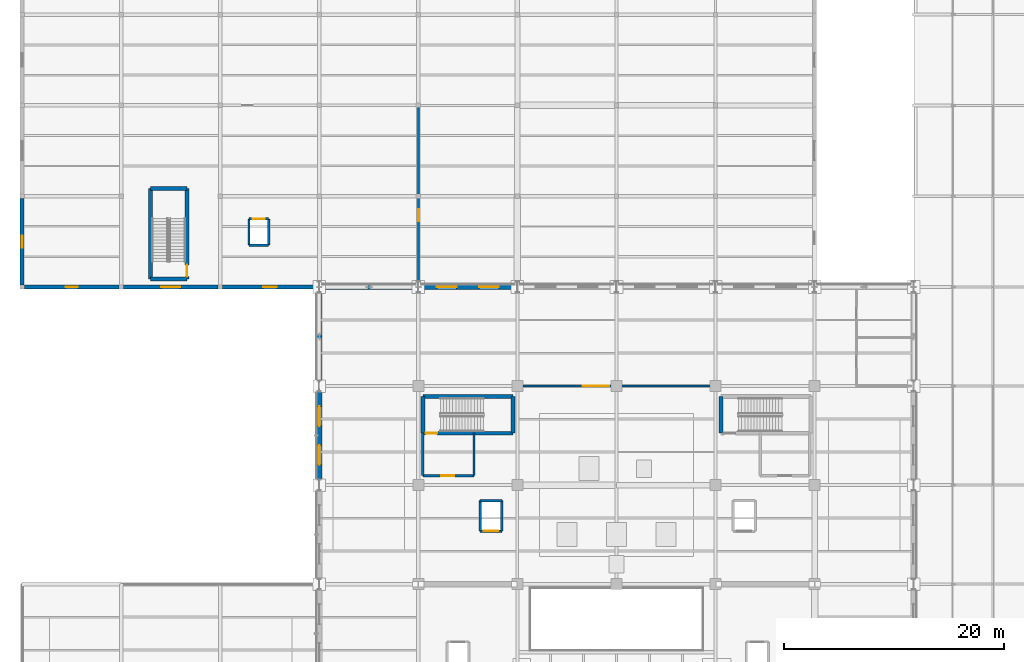
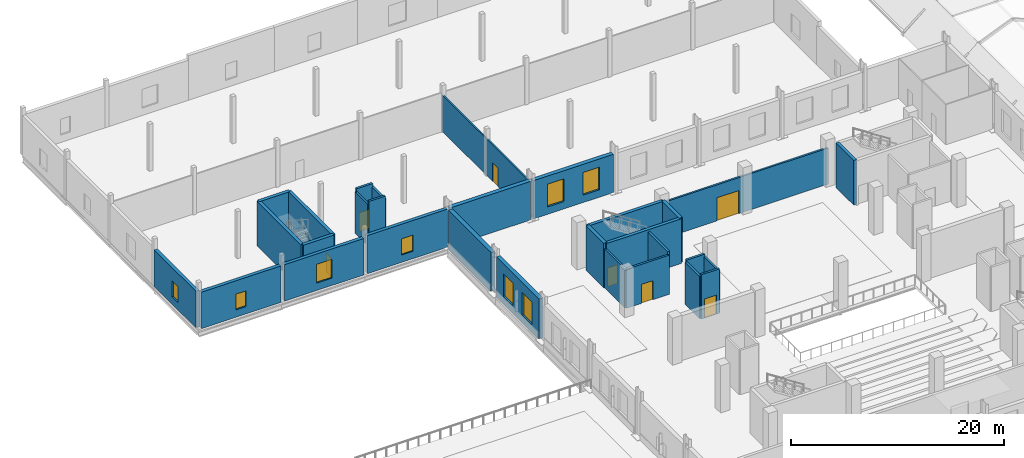
# One storey, part 119 of 141: 30 walls, 8 windows, 7 doors, 15 openings.
"""IFC4 building model written with IfcOpenShell, lengths in metres."""

from ifc_helpers import new_model, si_unit, direction, frame, frame_2d, origin, place, context, subcontext, project, spatial, rectangle, extrude, material, layer, layer_set, type_object, element, fill, save


model = new_model("IFC4")

# Units and contexts
model_context = context("Model", 3, precision=1e-05, world=origin(), true_north=direction((0.0, 1.0)))
body_context = subcontext(model_context, "Body", "Model", "MODEL_VIEW")
ifc_project = project(units=[si_unit("LENGTHUNIT", "METRE"), si_unit("AREAUNIT", "SQUARE_METRE"), si_unit("VOLUMEUNIT", "CUBIC_METRE"), si_unit("PLANEANGLEUNIT", "RADIAN"), si_unit("MASSUNIT", "GRAM", prefix="KILO")], contexts=[model_context])

# Site, building, storey
site_placement = place(None, origin())
site = spatial("IfcSite", under=ifc_project, at=site_placement, CompositionType="ELEMENT")
building_placement = place(site_placement, origin())
building = spatial("IfcBuilding", under=site, at=building_placement, Name="Sundgate Opera House", CompositionType="ELEMENT")
storey_placement = place(building_placement, frame((0.0, 0.0, 11.39990234375)))
storey = spatial("IfcBuildingStorey", under=building, at=storey_placement, Name="L02", CompositionType="ELEMENT", Elevation=11.39990234375)

# Wall, opening, door
ifc_material_1 = material(Name="Concrete C40/50", Category="concrete")
ifc_layer_1 = layer(ifc_material_1, 0.35009765625)
ifc_layer_set_1 = layer_set([ifc_layer_1], Name="Concrete C40/50")
wall_type_1 = type_object("IfcWallType", Name="WL-CORE-350", PredefinedType="SHEAR", material=ifc_layer_set_1)
wall_1_placement = place(storey_placement, frame((36.409912109375, 73.7099609375, 0.0), z_axis=(0.0, 0.0, 1.0), x_axis=(1.0, 0.0, 0.0)))
wall_1 = element("IfcWall", 1, at=wall_1_placement, inside=storey, type_object=wall_type_1, Name="L02 C2 South Shaft Wall", PredefinedType="SHEAR", context=body_context, shape_type="SweptSolid", body=[
    extrude(rectangle(XDim=8.18017578125, YDim=0.35009765625, at=frame_2d((4.090087890625, 0.0))), origin(), (0.0, 0.0, 1.0), 5.1201171875),
])
opening_1_placement = place(wall_1_placement, frame((0.239990234375, 0.0, 0.0)))
opening_1 = element("IfcOpeningElement", 2, at=opening_1_placement, cuts=wall_1, Name="Opening DI01", PredefinedType="OPENING", context=body_context, shape_type="SweptSolid", body=[
    extrude(rectangle(XDim=1.050048828125, YDim=2.179931640625, at=frame_2d((0.52490234375, 1.08984375))), frame((0.0, 0.18505859375, 0.0), z_axis=(0.0, -1.0, 0.0), x_axis=(1.0, 0.0, 0.0)), (0.0, 0.0, 1.0), 0.3701171875),
])
ifc_material_2 = material(Name="Acoustic hardwood timber and steel core", Category="steel")
door_type_1 = type_object("IfcDoorType", Name="DR-STAIR-1050x2180", OperationType="NOTDEFINED", PredefinedType="DOOR", material=ifc_material_2)
door_1_placement = place(opening_1_placement, origin())
door_1 = element("IfcDoor", 3, at=door_1_placement, inside=storey, type_object=door_type_1, Name="L02 C2 Stair Door D0038", OperationType="SINGLE_SWING_RIGHT", OverallHeight=2.179931640625, OverallWidth=1.050048828125, PredefinedType="DOOR", context=body_context, shape_type="SweptSolid", body=[
    extrude(rectangle(XDim=1.050048828125, YDim=2.179931640625, at=frame_2d((0.52490234375, 1.08984375))), frame((0.0, 0.02490234375, 0.0), z_axis=(0.0, -1.0, 0.0), x_axis=(1.0, 0.0, 0.0)), (0.0, 0.0, 1.0), 0.050048828125),
])
fill(opening_1, door_1)

# Walls
wall_2_placement = place(storey_placement, frame((36.409912109375, 77.0400390625, 0.0), z_axis=(0.0, 0.0, 1.0), x_axis=(1.0, 0.0, 0.0)))
element("IfcWall", 4, at=wall_2_placement, inside=storey, type_object=wall_type_1, Name="L02 C2 North Shaft Wall", PredefinedType="SHEAR", context=body_context, shape_type="SweptSolid", body=[
    extrude(rectangle(XDim=8.18017578125, YDim=0.35009765625, at=frame_2d((4.090087890625, 0.0))), origin(), (0.0, 0.0, 1.0), 5.1201171875),
])
for number, where, z_axis, x_axis, name in (
    (5, (36.409912109375, 73.7099609375, 0.0), (0.0, 0.0, 1.0), (0.0, 1.0, 0.0), "L02 C2 West Shaft Wall"),
    (6, (44.590087890625, 73.7099609375, 0.0), (0.0, 0.0, 1.0), (0.0, 1.0, 0.0), "L02 C2 East Shaft Wall"),
    (7, (63.510009765625, 73.7099609375, 0.0), (0.0, 0.0, 1.0), (0.0, 1.0, 0.0), "L02 C4 West Shaft Wall"),
    (8, (11.659912109375, 87.7099609375, 0.0), (0.0, 0.0, 1.0), (1.0, 0.0, 0.0), "L02 C8 South Shaft Wall"),
    (9, (11.659912109375, 95.93994140625, 0.0), (0.0, 0.0, 1.0), (1.0, 0.0, 0.0), "L02 C8 North Shaft Wall"),
):
    element("IfcWall", number, at=place(storey_placement, frame(where, z_axis=z_axis, x_axis=x_axis)), inside=storey, type_object=wall_type_1, Name=name, PredefinedType="SHEAR", context=body_context, shape_type="SweptSolid", body=[
        extrude(rectangle(XDim=3.330078125, YDim=0.35009765625, at=frame_2d((1.6650390625, 0.0))), origin(), (0.0, 0.0, 1.0), 5.1201171875),
    ])
wall_3_placement = place(storey_placement, frame((11.659912109375, 87.7099609375, 0.0), z_axis=(0.0, 0.0, 1.0), x_axis=(0.0, 1.0, 0.0)))
element("IfcWall", 10, at=wall_3_placement, inside=storey, type_object=wall_type_1, Name="L02 C8 West Shaft Wall", PredefinedType="SHEAR", context=body_context, shape_type="SweptSolid", body=[
    extrude(rectangle(XDim=8.22998046875, YDim=0.35009765625, at=frame_2d((4.114990234375, 0.0))), origin(), (0.0, 0.0, 1.0), 5.1201171875),
])

# Wall, opening, door
wall_4_placement = place(storey_placement, frame((14.989990234375, 87.7099609375, 0.0), z_axis=(0.0, 0.0, 1.0), x_axis=(0.0, 1.0, 0.0)))
wall_4 = element("IfcWall", 11, at=wall_4_placement, inside=storey, type_object=wall_type_1, Name="L02 C8 East Shaft Wall", PredefinedType="SHEAR", context=body_context, shape_type="SweptSolid", body=[
    extrude(rectangle(XDim=8.22998046875, YDim=0.35009765625, at=frame_2d((4.114990234375, 0.0))), origin(), (0.0, 0.0, 1.0), 5.1201171875),
])
opening_2_placement = place(wall_4_placement, frame((0.239990234375, 0.0, 0.0)))
opening_2 = element("IfcOpeningElement", 12, at=opening_2_placement, cuts=wall_4, Name="Opening DI01", PredefinedType="OPENING", context=body_context, shape_type="SweptSolid", body=[
    extrude(rectangle(XDim=1.050048828125, YDim=2.179931640625, at=frame_2d((0.52490234375, 1.08984375))), frame((0.0, 0.18505859375, 0.0), z_axis=(0.0, -1.0, 0.0), x_axis=(1.0, 0.0, 0.0)), (0.0, 0.0, 1.0), 0.3701171875),
])
door_2_placement = place(opening_2_placement, origin())
door_2 = element("IfcDoor", 13, at=door_2_placement, inside=storey, type_object=door_type_1, Name="L02 C8 Stair Door D0090", OperationType="SINGLE_SWING_RIGHT", OverallHeight=2.179931640625, OverallWidth=1.050048828125, PredefinedType="DOOR", context=body_context, shape_type="SweptSolid", body=[
    extrude(rectangle(XDim=1.050048828125, YDim=2.179931640625, at=frame_2d((0.52490234375, 1.08984375))), frame((0.0, 0.02490234375, 0.0), z_axis=(0.0, -1.0, 0.0), x_axis=(1.0, 0.0, 0.0)), (0.0, 0.0, 1.0), 0.050048828125),
])
fill(opening_2, door_2)

# Wall, opening, window
ifc_material_3 = material(Name="Scanian red-brown facing brick masonry", Category="masonry")
ifc_layer_2 = layer(ifc_material_3, 0.360107421875)
ifc_layer_set_2 = layer_set([ifc_layer_2], Name="Scanian red-brown facing brick masonry")
wall_type_2 = type_object("IfcWallType", Name="WL-EXT-BRICK-360", PredefinedType="SOLIDWALL", material=ifc_layer_set_2)
wall_5_placement = place(storey_placement, frame((0.0, 95.054931640625, 0.0), z_axis=(0.0, 0.0, 1.0), x_axis=(0.0, -1.0, 0.0)))
wall_5 = element("IfcWall", 14, at=wall_5_placement, inside=storey, type_object=wall_type_2, Name="L02 Costume Wing West Wall W0413", PredefinedType="SOLIDWALL", context=body_context, shape_type="SweptSolid", body=[
    extrude(rectangle(XDim=7.85986328125, YDim=0.360107421875, at=frame_2d((3.929931640625, 0.0))), origin(), (0.0, 0.0, 1.0), 4.18505859375),
])
opening_3_placement = place(wall_5_placement, frame((3.3798828125, 0.0, 0.85009765625)))
opening_3 = element("IfcOpeningElement", 15, at=opening_3_placement, cuts=wall_5, Name="Opening W12", PredefinedType="OPENING", context=body_context, shape_type="SweptSolid", body=[
    extrude(rectangle(XDim=1.10009765625, YDim=1.800048828125, at=frame_2d((0.550048828125, 0.89990234375))), frame((0.0, 0.18994140625, 0.0), z_axis=(0.0, -1.0, 0.0), x_axis=(1.0, 0.0, 0.0)), (0.0, 0.0, 1.0), 0.380126953125),
])
ifc_material_4 = material(Name="Low-iron triple glazing in patinated bronze frame", Category="glass")
window_type_1 = type_object("IfcWindowType", Name="WN-STAGE-1100x1800", PartitioningType="SINGLE_PANEL", PredefinedType="WINDOW", material=ifc_material_4)
window_1_placement = place(opening_3_placement, origin())
window_1 = element("IfcWindow", 16, at=window_1_placement, inside=storey, type_object=window_type_1, Name="L02 Costume Pavilion Window WN0326", OverallHeight=1.800048828125, OverallWidth=1.10009765625, PartitioningType="SINGLE_PANEL", PredefinedType="WINDOW", context=body_context, shape_type="SweptSolid", body=[
    extrude(rectangle(XDim=1.10009765625, YDim=1.800048828125, at=frame_2d((0.550048828125, 0.89990234375))), frame((0.0, 0.030029296875, 0.0), z_axis=(0.0, -1.0, 0.0), x_axis=(1.0, 0.0, 0.0)), (0.0, 0.0, 1.0), 0.06005859375),
])
fill(opening_3, window_1)

wall_6_placement = place(storey_placement, frame((8.804931640625, 87.0, 0.0), z_axis=(0.0, 0.0, 1.0), x_axis=(-1.0, 0.0, 0.0)))
wall_6 = element("IfcWall", 17, at=wall_6_placement, inside=storey, type_object=wall_type_2, Name="L02 Costume Wing South Wall W0421", PredefinedType="SOLIDWALL", context=body_context, shape_type="SweptSolid", body=[
    extrude(rectangle(XDim=8.60986328125, YDim=0.360107421875, at=frame_2d((4.304931640625, 0.0))), origin(), (0.0, 0.0, 1.0), 4.18505859375),
])
opening_4_placement = place(wall_6_placement, frame((3.7548828125, 0.0, 0.85009765625)))
opening_4 = element("IfcOpeningElement", 18, at=opening_4_placement, cuts=wall_6, Name="Opening W12", PredefinedType="OPENING", context=body_context, shape_type="SweptSolid", body=[
    extrude(rectangle(XDim=1.10009765625, YDim=1.800048828125, at=frame_2d((0.550048828125, 0.89990234375))), frame((0.0, 0.18994140625, 0.0), z_axis=(0.0, -1.0, 0.0), x_axis=(1.0, 0.0, 0.0)), (0.0, 0.0, 1.0), 0.380126953125),
])
window_2_placement = place(opening_4_placement, origin())
window_2 = element("IfcWindow", 19, at=window_2_placement, inside=storey, type_object=window_type_1, Name="L02 Costume Pavilion Window WN0334", OverallHeight=1.800048828125, OverallWidth=1.10009765625, PartitioningType="SINGLE_PANEL", PredefinedType="WINDOW", context=body_context, shape_type="SweptSolid", body=[
    extrude(rectangle(XDim=1.10009765625, YDim=1.800048828125, at=frame_2d((0.550048828125, 0.89990234375))), frame((0.0, 0.030029296875, 0.0), z_axis=(0.0, -1.0, 0.0), x_axis=(1.0, 0.0, 0.0)), (0.0, 0.0, 1.0), 0.06005859375),
])
fill(opening_4, window_2)

wall_7_placement = place(storey_placement, frame((17.804931640625, 87.0, 0.0), z_axis=(0.0, 0.0, 1.0), x_axis=(-1.0, 0.0, 0.0)))
wall_7 = element("IfcWall", 20, at=wall_7_placement, inside=storey, type_object=wall_type_2, Name="L02 Costume Wing South Wall W0422", PredefinedType="SOLIDWALL", context=body_context, shape_type="SweptSolid", body=[
    extrude(rectangle(XDim=8.60986328125, YDim=0.360107421875, at=frame_2d((4.304931640625, 0.0))), origin(), (0.0, 0.0, 1.0), 4.18505859375),
])
opening_5_placement = place(wall_7_placement, frame((3.455078125, 0.0, 0.85009765625)))
opening_5 = element("IfcOpeningElement", 21, at=opening_5_placement, cuts=wall_7, Name="Opening W13", PredefinedType="OPENING", context=body_context, shape_type="SweptSolid", body=[
    extrude(rectangle(XDim=1.699951171875, YDim=2.14990234375, at=frame_2d((0.85009765625, 1.074951171875))), frame((0.0, 0.18994140625, 0.0), z_axis=(0.0, -1.0, 0.0), x_axis=(1.0, 0.0, 0.0)), (0.0, 0.0, 1.0), 0.380126953125),
])
ifc_material_5 = material(Name="Low-iron triple glazing in patinated bronze frame", Category="glass")
window_type_2 = type_object("IfcWindowType", Name="WN-GALL-1700x2150", PartitioningType="SINGLE_PANEL", PredefinedType="WINDOW", material=ifc_material_5)
window_3_placement = place(opening_5_placement, origin())
window_3 = element("IfcWindow", 22, at=window_3_placement, inside=storey, type_object=window_type_2, Name="L02 Costume Pavilion Window WN0335", OverallHeight=2.14990234375, OverallWidth=1.699951171875, PartitioningType="SINGLE_PANEL", PredefinedType="WINDOW", context=body_context, shape_type="SweptSolid", body=[
    extrude(rectangle(XDim=1.699951171875, YDim=2.14990234375, at=frame_2d((0.85009765625, 1.074951171875))), frame((0.0, 0.030029296875, 0.0), z_axis=(0.0, -1.0, 0.0), x_axis=(1.0, 0.0, 0.0)), (0.0, 0.0, 1.0), 0.06005859375),
])
fill(opening_5, window_3)

wall_8_placement = place(storey_placement, frame((26.85498046875, 87.0, 0.0), z_axis=(0.0, 0.0, 1.0), x_axis=(-1.0, 0.0, 0.0)))
wall_8 = element("IfcWall", 23, at=wall_8_placement, inside=storey, type_object=wall_type_2, Name="L02 Costume Wing South Wall W0423", PredefinedType="SOLIDWALL", context=body_context, shape_type="SweptSolid", body=[
    extrude(rectangle(XDim=8.659912109375, YDim=0.360107421875, at=frame_2d((4.330078125, 0.0))), origin(), (0.0, 0.0, 1.0), 4.375),
])
opening_6_placement = place(wall_8_placement, frame((3.705078125, 0.0, 0.85009765625)))
opening_6 = element("IfcOpeningElement", 24, at=opening_6_placement, cuts=wall_8, Name="Opening W14", PredefinedType="OPENING", context=body_context, shape_type="SweptSolid", body=[
    extrude(rectangle(XDim=1.25, YDim=1.85009765625, at=frame_2d((0.625, 0.925048828125))), frame((0.0, 0.18994140625, 0.0), z_axis=(0.0, -1.0, 0.0), x_axis=(1.0, 0.0, 0.0)), (0.0, 0.0, 1.0), 0.380126953125),
])
ifc_material_6 = material(Name="Low-iron triple glazing in patinated bronze frame", Category="glass")
window_type_3 = type_object("IfcWindowType", Name="WN-DRES-1250x1850", PartitioningType="SINGLE_PANEL", PredefinedType="WINDOW", material=ifc_material_6)
window_4_placement = place(opening_6_placement, origin())
window_4 = element("IfcWindow", 25, at=window_4_placement, inside=storey, type_object=window_type_3, Name="L02 Costume Pavilion Window WN0336", OverallHeight=1.85009765625, OverallWidth=1.25, PartitioningType="SINGLE_PANEL", PredefinedType="WINDOW", context=body_context, shape_type="SweptSolid", body=[
    extrude(rectangle(XDim=1.25, YDim=1.85009765625, at=frame_2d((0.625, 0.925048828125))), frame((0.0, 0.030029296875, 0.0), z_axis=(0.0, -1.0, 0.0), x_axis=(1.0, 0.0, 0.0)), (0.0, 0.0, 1.0), 0.06005859375),
])
fill(opening_6, window_4)

# Wall
ifc_material_7 = material(Name="Komstad limestone ashlar masonry", Category="masonry")
ifc_layer_3 = layer(ifc_material_7, 0.43994140625)
ifc_layer_set_3 = layer_set([ifc_layer_3], Name="Komstad limestone ashlar masonry")
wall_type_3 = type_object("IfcWallType", Name="WL-EXT-LIME-440", PredefinedType="SOLIDWALL", material=ifc_layer_set_3)
wall_9_placement = place(storey_placement, frame((27.14501953125, 87.0, 0.0), z_axis=(0.0, 0.0, 1.0), x_axis=(1.0, 0.0, 0.0)))
element("IfcWall", 26, at=wall_9_placement, inside=storey, type_object=wall_type_3, Name="L02 Lifted Cube North Relief Wall W0046", PredefinedType="SOLIDWALL", context=body_context, shape_type="SweptSolid", body=[
    extrude(rectangle(XDim=8.7099609375, YDim=0.43994140625, at=frame_2d((4.35498046875, 0.0))), origin(), (0.0, 0.0, 1.0), 4.425048828125),
])

# Wall, openings, windows
wall_10_placement = place(storey_placement, frame((36.14501953125, 87.0, 0.0), z_axis=(0.0, 0.0, 1.0), x_axis=(1.0, 0.0, 0.0)))
wall_10 = element("IfcWall", 27, at=wall_10_placement, inside=storey, type_object=wall_type_3, Name="L02 Lifted Cube North Relief Wall W0048", PredefinedType="SOLIDWALL", context=body_context, shape_type="SweptSolid", body=[
    extrude(rectangle(XDim=8.7099609375, YDim=0.43994140625, at=frame_2d((4.35498046875, 0.0))), origin(), (0.0, 0.0, 1.0), 4.385009765625),
])
opening_7_placement = place(wall_10_placement, frame((1.5390625, 0.0, 0.85009765625)))
opening_7 = element("IfcOpeningElement", 28, at=opening_7_placement, cuts=wall_10, Name="Opening W01", PredefinedType="OPENING", context=body_context, shape_type="SweptSolid", body=[
    extrude(rectangle(XDim=1.800048828125, YDim=2.60009765625, at=frame_2d((0.89990234375, 1.300048828125))), frame((0.0, 0.22998046875, 0.0), z_axis=(0.0, -1.0, 0.0), x_axis=(1.0, 0.0, 0.0)), (0.0, 0.0, 1.0), 0.4599609375),
])
opening_8_placement = place(wall_10_placement, frame((5.37109375, 0.0, 0.85009765625)))
opening_8 = element("IfcOpeningElement", 29, at=opening_8_placement, cuts=wall_10, Name="Opening W01", PredefinedType="OPENING", context=body_context, shape_type="SweptSolid", body=[
    extrude(rectangle(XDim=1.800048828125, YDim=2.60009765625, at=frame_2d((0.89990234375, 1.300048828125))), frame((0.0, 0.22998046875, 0.0), z_axis=(0.0, -1.0, 0.0), x_axis=(1.0, 0.0, 0.0)), (0.0, 0.0, 1.0), 0.4599609375),
])
ifc_material_8 = material(Name="Low-iron triple glazing in patinated bronze frame", Category="glass")
window_type_4 = type_object("IfcWindowType", Name="WN-CUBE-1800x2600", PartitioningType="SINGLE_PANEL", PredefinedType="WINDOW", material=ifc_material_8)
window_5_placement = place(opening_7_placement, origin())
window_5 = element("IfcWindow", 30, at=window_5_placement, inside=storey, type_object=window_type_4, Name="L02 Cube Loggia Window WN0003", OverallHeight=2.60009765625, OverallWidth=1.800048828125, PartitioningType="SINGLE_PANEL", PredefinedType="WINDOW", context=body_context, shape_type="SweptSolid", body=[
    extrude(rectangle(XDim=1.800048828125, YDim=2.60009765625, at=frame_2d((0.89990234375, 1.300048828125))), frame((0.0, 0.030029296875, 0.0), z_axis=(0.0, -1.0, 0.0), x_axis=(1.0, 0.0, 0.0)), (0.0, 0.0, 1.0), 0.06005859375),
])
fill(opening_7, window_5)
window_6_placement = place(opening_8_placement, origin())
window_6 = element("IfcWindow", 31, at=window_6_placement, inside=storey, type_object=window_type_4, Name="L02 Cube Loggia Window WN0004", OverallHeight=2.60009765625, OverallWidth=1.800048828125, PartitioningType="SINGLE_PANEL", PredefinedType="WINDOW", context=body_context, shape_type="SweptSolid", body=[
    extrude(rectangle(XDim=1.800048828125, YDim=2.60009765625, at=frame_2d((0.89990234375, 1.300048828125))), frame((0.0, 0.030029296875, 0.0), z_axis=(0.0, -1.0, 0.0), x_axis=(1.0, 0.0, 0.0)), (0.0, 0.0, 1.0), 0.06005859375),
])
fill(opening_8, window_6)

wall_11_placement = place(storey_placement, frame((27.0, 77.5048828125, 0.0), z_axis=(0.0, 0.0, 1.0), x_axis=(0.0, -1.0, 0.0)))
wall_11 = element("IfcWall", 32, at=wall_11_placement, inside=storey, type_object=wall_type_3, Name="L02 Lifted Cube West Relief Wall W0065", PredefinedType="SOLIDWALL", context=body_context, shape_type="SweptSolid", body=[
    extrude(rectangle(XDim=8.009765625, YDim=0.43994140625, at=frame_2d((4.0048828125, 0.0))), origin(), (0.0, 0.0, 1.0), 4.585205078125),
])
opening_9_placement = place(wall_11_placement, frame((1.343017578125, 0.0, 0.85009765625)))
opening_9 = element("IfcOpeningElement", 33, at=opening_9_placement, cuts=wall_11, Name="Opening W01", PredefinedType="OPENING", context=body_context, shape_type="SweptSolid", body=[
    extrude(rectangle(XDim=1.800048828125, YDim=2.60009765625, at=frame_2d((0.89990234375, 1.300048828125))), frame((0.0, 0.22998046875, 0.0), z_axis=(0.0, -1.0, 0.0), x_axis=(1.0, 0.0, 0.0)), (0.0, 0.0, 1.0), 0.4599609375),
])
opening_10_placement = place(wall_11_placement, frame((4.866943359375, 0.0, 0.85009765625)))
opening_10 = element("IfcOpeningElement", 34, at=opening_10_placement, cuts=wall_11, Name="Opening W01", PredefinedType="OPENING", context=body_context, shape_type="SweptSolid", body=[
    extrude(rectangle(XDim=1.800048828125, YDim=2.60009765625, at=frame_2d((0.89990234375, 1.300048828125))), frame((0.0, 0.22998046875, 0.0), z_axis=(0.0, -1.0, 0.0), x_axis=(1.0, 0.0, 0.0)), (0.0, 0.0, 1.0), 0.4599609375),
])
window_7_placement = place(opening_9_placement, origin())
window_7 = element("IfcWindow", 35, at=window_7_placement, inside=storey, type_object=window_type_4, Name="L02 Cube Loggia Window WN0027", OverallHeight=2.60009765625, OverallWidth=1.800048828125, PartitioningType="SINGLE_PANEL", PredefinedType="WINDOW", context=body_context, shape_type="SweptSolid", body=[
    extrude(rectangle(XDim=1.800048828125, YDim=2.60009765625, at=frame_2d((0.89990234375, 1.300048828125))), frame((0.0, 0.030029296875, 0.0), z_axis=(0.0, -1.0, 0.0), x_axis=(1.0, 0.0, 0.0)), (0.0, 0.0, 1.0), 0.06005859375),
])
fill(opening_9, window_7)
window_8_placement = place(opening_10_placement, origin())
window_8 = element("IfcWindow", 36, at=window_8_placement, inside=storey, type_object=window_type_4, Name="L02 Cube Loggia Window WN0028", OverallHeight=2.60009765625, OverallWidth=1.800048828125, PartitioningType="SINGLE_PANEL", PredefinedType="WINDOW", context=body_context, shape_type="SweptSolid", body=[
    extrude(rectangle(XDim=1.800048828125, YDim=2.60009765625, at=frame_2d((0.89990234375, 1.300048828125))), frame((0.0, 0.030029296875, 0.0), z_axis=(0.0, -1.0, 0.0), x_axis=(1.0, 0.0, 0.0)), (0.0, 0.0, 1.0), 0.06005859375),
])
fill(opening_10, window_8)

# Wall
wall_12_placement = place(storey_placement, frame((27.0, 86.5048828125, 0.0), z_axis=(0.0, 0.0, 1.0), x_axis=(0.0, -1.0, 0.0)))
element("IfcWall", 37, at=wall_12_placement, inside=storey, type_object=wall_type_3, Name="L02 Lifted Cube West Relief Wall W0067", PredefinedType="SOLIDWALL", context=body_context, shape_type="SweptSolid", body=[
    extrude(rectangle(XDim=8.009765625, YDim=0.43994140625, at=frame_2d((4.0048828125, 0.0))), origin(), (0.0, 0.0, 1.0), 4.47509765625),
])

# Wall, opening, door
ifc_material_9 = material(Name="Fire-rated corridor partition", Category="gypsum")
ifc_layer_4 = layer(ifc_material_9, 0.199951171875)
ifc_layer_set_4 = layer_set([ifc_layer_4], Name="Fire-rated corridor partition")
wall_type_4 = type_object("IfcWallType", Name="WL-INT-FIRE-200", PredefinedType="PARTITIONING", material=ifc_layer_set_4)
wall_13_placement = place(storey_placement, frame((45.0, 78.0, 0.0), z_axis=(0.0, 0.0, 1.0), x_axis=(1.0, 0.0, 0.0)))
wall_13 = element("IfcWall", 38, at=wall_13_placement, inside=storey, type_object=wall_type_4, Name="L02 Interior Partition W1051", PredefinedType="PARTITIONING", context=body_context, shape_type="SweptSolid", body=[
    extrude(rectangle(XDim=18.0, YDim=0.199951171875, at=frame_2d((9.0, 0.0))), origin(), (0.0, 0.0, 1.0), 4.135009765625),
])
opening_11_placement = place(wall_13_placement, frame((5.927978515625, 0.0, 0.0)))
opening_11 = element("IfcOpeningElement", 39, at=opening_11_placement, cuts=wall_13, Name="Opening DI05", PredefinedType="OPENING", context=body_context, shape_type="SweptSolid", body=[
    extrude(rectangle(XDim=2.39990234375, YDim=2.64990234375, at=frame_2d((1.199951171875, 1.324951171875))), frame((0.0, 0.10986328125, 0.0), z_axis=(0.0, -1.0, 0.0), x_axis=(1.0, 0.0, 0.0)), (0.0, 0.0, 1.0), 0.219970703125),
])
ifc_material_10 = material(Name="Acoustic hardwood timber and steel core", Category="steel")
door_type_2 = type_object("IfcDoorType", Name="DR-STAGE-2400x2650", OperationType="DOUBLE_DOOR_SINGLE_SWING", PredefinedType="DOOR", material=ifc_material_10)
door_3_placement = place(opening_11_placement, origin())
door_3 = element("IfcDoor", 40, at=door_3_placement, inside=storey, type_object=door_type_2, Name="L02 Interior Door D0215", OperationType="DOUBLE_DOOR_SINGLE_SWING", OverallHeight=2.64990234375, OverallWidth=2.39990234375, PredefinedType="DOOR", context=body_context, shape_type="SweptSolid", body=[
    extrude(rectangle(XDim=2.39990234375, YDim=2.64990234375, at=frame_2d((1.199951171875, 1.324951171875))), frame((0.0, 0.02490234375, 0.0), z_axis=(0.0, -1.0, 0.0), x_axis=(1.0, 0.0, 0.0)), (0.0, 0.0, 1.0), 0.050048828125),
])
fill(opening_11, door_3)

ifc_material_11 = material(Name="Fire-rated gypsum and mineral-wool shaft partition", Category="gypsum")
ifc_layer_5 = layer(ifc_material_11, 0.219970703125)
ifc_layer_set_5 = layer_set([ifc_layer_5], Name="Fire-rated gypsum and mineral-wool shaft partition")
wall_type_5 = type_object("IfcWallType", Name="WL-INT-FIRE-220", PredefinedType="PARTITIONING", material=ifc_layer_set_5)
wall_14_placement = place(storey_placement, frame((36.409912109375, 69.85009765625, 0.0), z_axis=(0.0, 0.0, 1.0), x_axis=(1.0, 0.0, 0.0)))
wall_14 = element("IfcWall", 41, at=wall_14_placement, inside=storey, type_object=wall_type_5, Name="L02 C2 Firefighting Lobby South Wall", PredefinedType="PARTITIONING", context=body_context, shape_type="SweptSolid", body=[
    extrude(rectangle(XDim=4.64013671875, YDim=0.219970703125, at=frame_2d((2.320068359375, 0.0))), origin(), (0.0, 0.0, 1.0), 4.485107421875),
])
opening_12_placement = place(wall_14_placement, frame((1.64990234375, 0.0, 0.0)))
opening_12 = element("IfcOpeningElement", 42, at=opening_12_placement, cuts=wall_14, Name="Opening DI02", PredefinedType="OPENING", context=body_context, shape_type="SweptSolid", body=[
    extrude(rectangle(XDim=1.199951171875, YDim=2.179931640625, at=frame_2d((0.60009765625, 1.08984375))), frame((0.0, 0.119873046875, 0.0), z_axis=(0.0, -1.0, 0.0), x_axis=(1.0, 0.0, 0.0)), (0.0, 0.0, 1.0), 0.239990234375),
])
ifc_material_12 = material(Name="Acoustic hardwood timber and steel core", Category="steel")
door_type_3 = type_object("IfcDoorType", Name="DR-FFLOB-1200x2180", OperationType="NOTDEFINED", PredefinedType="DOOR", material=ifc_material_12)
door_4_placement = place(opening_12_placement, origin())
door_4 = element("IfcDoor", 43, at=door_4_placement, inside=storey, type_object=door_type_3, Name="L02 C2 Firefighting Lobby Door D0039", OperationType="SINGLE_SWING_LEFT", OverallHeight=2.179931640625, OverallWidth=1.199951171875, PredefinedType="DOOR", context=body_context, shape_type="SweptSolid", body=[
    extrude(rectangle(XDim=1.199951171875, YDim=2.179931640625, at=frame_2d((0.60009765625, 1.08984375))), frame((0.0, 0.02490234375, 0.0), z_axis=(0.0, -1.0, 0.0), x_axis=(1.0, 0.0, 0.0)), (0.0, 0.0, 1.0), 0.050048828125),
])
fill(opening_12, door_4)

# Walls
wall_15_placement = place(storey_placement, frame((36.409912109375, 69.85009765625, 0.0), z_axis=(0.0, 0.0, 1.0), x_axis=(0.0, 1.0, 0.0)))
element("IfcWall", 44, at=wall_15_placement, inside=storey, type_object=wall_type_5, Name="L02 C2 Firefighting Lobby West Wall", PredefinedType="PARTITIONING", context=body_context, shape_type="SweptSolid", body=[
    extrude(rectangle(XDim=3.85986328125, YDim=0.219970703125, at=frame_2d((1.929931640625, 0.0))), origin(), (0.0, 0.0, 1.0), 4.485107421875),
])
wall_16_placement = place(storey_placement, frame((41.050048828125, 69.85009765625, 0.0), z_axis=(0.0, 0.0, 1.0), x_axis=(0.0, 1.0, 0.0)))
element("IfcWall", 45, at=wall_16_placement, inside=storey, type_object=wall_type_5, Name="L02 C2 Firefighting Lobby East Wall", PredefinedType="PARTITIONING", context=body_context, shape_type="SweptSolid", body=[
    extrude(rectangle(XDim=3.85986328125, YDim=0.219970703125, at=frame_2d((1.929931640625, 0.0))), origin(), (0.0, 0.0, 1.0), 4.84521484375),
])
wall_17_placement = place(storey_placement, frame((20.610107421875, 90.81005859375, 0.0), z_axis=(0.0, 0.0, 1.0), x_axis=(1.0, 0.0, 0.0)))
element("IfcWall", 46, at=wall_17_placement, inside=storey, type_object=wall_type_5, Name="L02 LF-06 South Shaft Wall", PredefinedType="PARTITIONING", context=body_context, shape_type="SweptSolid", body=[
    extrude(rectangle(XDim=1.77978515625, YDim=0.219970703125, at=frame_2d((0.889892578125, 0.0))), origin(), (0.0, 0.0, 1.0), 5.085205078125),
])

# Wall, opening, door
wall_18_placement = place(storey_placement, frame((20.610107421875, 93.18994140625, 0.0), z_axis=(0.0, 0.0, 1.0), x_axis=(1.0, 0.0, 0.0)))
wall_18 = element("IfcWall", 47, at=wall_18_placement, inside=storey, type_object=wall_type_5, Name="L02 LF-06 North Shaft Wall", PredefinedType="PARTITIONING", context=body_context, shape_type="SweptSolid", body=[
    extrude(rectangle(XDim=1.77978515625, YDim=0.219970703125, at=frame_2d((0.889892578125, 0.0))), origin(), (0.0, 0.0, 1.0), 5.085205078125),
])
opening_13_placement = place(wall_18_placement, frame((0.340087890625, 0.0, 0.0)))
opening_13 = element("IfcOpeningElement", 48, at=opening_13_placement, cuts=wall_18, Name="Opening LD1", PredefinedType="OPENING", context=body_context, shape_type="SweptSolid", body=[
    extrude(rectangle(XDim=1.10009765625, YDim=2.179931640625, at=frame_2d((0.550048828125, 1.08984375))), frame((0.0, 0.119873046875, 0.0), z_axis=(0.0, -1.0, 0.0), x_axis=(1.0, 0.0, 0.0)), (0.0, 0.0, 1.0), 0.239990234375),
])
ifc_material_13 = material(Name="Brushed stainless steel EN 1.4301", Category="steel")
door_type_4 = type_object("IfcDoorType", Name="DR-LIFT-1100x2180", OperationType="DOUBLE_DOOR_SLIDING", PredefinedType="DOOR", material=ifc_material_13)
door_5_placement = place(opening_13_placement, origin())
door_5 = element("IfcDoor", 49, at=door_5_placement, inside=storey, type_object=door_type_4, Name="L02 LF-06 Landing Door D0126", OperationType="DOUBLE_DOOR_SLIDING", OverallHeight=2.179931640625, OverallWidth=1.10009765625, PredefinedType="DOOR", context=body_context, shape_type="SweptSolid", body=[
    extrude(rectangle(XDim=1.10009765625, YDim=2.179931640625, at=frame_2d((0.550048828125, 1.08984375))), frame((0.0, 0.02490234375, 0.0), z_axis=(0.0, -1.0, 0.0), x_axis=(1.0, 0.0, 0.0)), (0.0, 0.0, 1.0), 0.050048828125),
])
fill(opening_13, door_5)

# Walls
for number, where, z_axis, x_axis, name in (
    (50, (20.610107421875, 90.81005859375, 0.0), (0.0, 0.0, 1.0), (0.0, 1.0, 0.0), "L02 LF-06 West Shaft Wall"),
    (51, (22.389892578125, 90.81005859375, 0.0), (0.0, 0.0, 1.0), (0.0, 1.0, 0.0), "L02 LF-06 East Shaft Wall"),
):
    element("IfcWall", number, at=place(storey_placement, frame(where, z_axis=z_axis, x_axis=x_axis)), inside=storey, type_object=wall_type_5, Name=name, PredefinedType="PARTITIONING", context=body_context, shape_type="SweptSolid", body=[
        extrude(rectangle(XDim=2.3798828125, YDim=0.219970703125, at=frame_2d((1.18994140625, 0.0))), origin(), (0.0, 0.0, 1.0), 4.72509765625),
    ])

# Wall, opening, door
wall_19_placement = place(storey_placement, frame((41.610107421875, 64.81005859375, 0.0), z_axis=(0.0, 0.0, 1.0), x_axis=(1.0, 0.0, 0.0)))
wall_19 = element("IfcWall", 52, at=wall_19_placement, inside=storey, type_object=wall_type_5, Name="L02 FF1 South Shaft Wall", PredefinedType="PARTITIONING", context=body_context, shape_type="SweptSolid", body=[
    extrude(rectangle(XDim=1.97998046875, YDim=0.219970703125, at=frame_2d((0.989990234375, 0.0))), origin(), (0.0, 0.0, 1.0), 5.085205078125),
])
opening_14_placement = place(wall_19_placement, frame((0.340087890625, 0.0, 0.0)))
opening_14 = element("IfcOpeningElement", 53, at=opening_14_placement, cuts=wall_19, Name="Opening LD2", PredefinedType="OPENING", context=body_context, shape_type="SweptSolid", body=[
    extrude(rectangle(XDim=1.300048828125, YDim=2.199951171875, at=frame_2d((0.64990234375, 1.10009765625))), frame((0.0, 0.119873046875, 0.0), z_axis=(0.0, -1.0, 0.0), x_axis=(1.0, 0.0, 0.0)), (0.0, 0.0, 1.0), 0.239990234375),
])
ifc_material_14 = material(Name="Brushed stainless steel EN 1.4301", Category="steel")
door_type_5 = type_object("IfcDoorType", Name="DR-LIFT-1300x2200", OperationType="DOUBLE_DOOR_SLIDING", PredefinedType="DOOR", material=ifc_material_14)
door_6_placement = place(opening_14_placement, origin())
door_6 = element("IfcDoor", 54, at=door_6_placement, inside=storey, type_object=door_type_5, Name="L02 FF1 Landing Door D0131", OperationType="DOUBLE_DOOR_SLIDING", OverallHeight=2.199951171875, OverallWidth=1.300048828125, PredefinedType="DOOR", context=body_context, shape_type="SweptSolid", body=[
    extrude(rectangle(XDim=1.300048828125, YDim=2.199951171875, at=frame_2d((0.64990234375, 1.10009765625))), frame((0.0, 0.02490234375, 0.0), z_axis=(0.0, -1.0, 0.0), x_axis=(1.0, 0.0, 0.0)), (0.0, 0.0, 1.0), 0.050048828125),
])
fill(opening_14, door_6)

# Walls
wall_20_placement = place(storey_placement, frame((41.610107421875, 67.590087890625, 0.0), z_axis=(0.0, 0.0, 1.0), x_axis=(1.0, 0.0, 0.0)))
element("IfcWall", 55, at=wall_20_placement, inside=storey, type_object=wall_type_5, Name="L02 FF1 North Shaft Wall", PredefinedType="PARTITIONING", context=body_context, shape_type="SweptSolid", body=[
    extrude(rectangle(XDim=1.97998046875, YDim=0.219970703125, at=frame_2d((0.989990234375, 0.0))), origin(), (0.0, 0.0, 1.0), 5.085205078125),
])
for number, where, z_axis, x_axis, name in (
    (56, (41.610107421875, 64.81005859375, 0.0), (0.0, 0.0, 1.0), (0.0, 1.0, 0.0), "L02 FF1 West Shaft Wall"),
    (57, (43.590087890625, 64.81005859375, 0.0), (0.0, 0.0, 1.0), (0.0, 1.0, 0.0), "L02 FF1 East Shaft Wall"),
):
    element("IfcWall", number, at=place(storey_placement, frame(where, z_axis=z_axis, x_axis=x_axis)), inside=storey, type_object=wall_type_5, Name=name, PredefinedType="PARTITIONING", context=body_context, shape_type="SweptSolid", body=[
        extrude(rectangle(XDim=2.780029296875, YDim=0.219970703125, at=frame_2d((1.39013671875, 0.0))), origin(), (0.0, 0.0, 1.0), 4.84521484375),
    ])

# Wall, opening, door
ifc_material_15 = material(Name="Dressing suite acoustic partition", Category="gypsum")
ifc_layer_6 = layer(ifc_material_15, 0.159912109375)
ifc_layer_set_6 = layer_set([ifc_layer_6], Name="Dressing suite acoustic partition")
wall_type_6 = type_object("IfcWallType", Name="WL-INT-PART-160", PredefinedType="PARTITIONING", material=ifc_layer_set_6)
wall_21_placement = place(storey_placement, frame((36.0, 87.199951171875, 0.0), z_axis=(0.0, 0.0, 1.0), x_axis=(0.0, 1.0, 0.0)))
wall_21 = element("IfcWall", 58, at=wall_21_placement, inside=storey, type_object=wall_type_6, Name="L02 Interior Partition W1064", PredefinedType="PARTITIONING", context=body_context, shape_type="SweptSolid", body=[
    extrude(rectangle(XDim=16.300048828125, YDim=0.159912109375, at=frame_2d((8.14990234375, 0.0))), origin(), (0.0, 0.0, 1.0), 4.175048828125),
])
opening_15_placement = place(wall_21_placement, frame((5.794921875, 0.0, 0.0)))
opening_15 = element("IfcOpeningElement", 59, at=opening_15_placement, cuts=wall_21, Name="Opening DI08", PredefinedType="OPENING", context=body_context, shape_type="SweptSolid", body=[
    extrude(rectangle(XDim=1.050048828125, YDim=2.1201171875, at=frame_2d((0.52490234375, 1.06005859375))), frame((0.0, 0.08984375, 0.0), z_axis=(0.0, -1.0, 0.0), x_axis=(1.0, 0.0, 0.0)), (0.0, 0.0, 1.0), 0.179931640625),
])
ifc_material_16 = material(Name="Acoustic hardwood timber and steel core", Category="steel")
door_type_6 = type_object("IfcDoorType", Name="DR-ROOM-1050x2120", OperationType="NOTDEFINED", PredefinedType="DOOR", material=ifc_material_16)
door_7_placement = place(opening_15_placement, origin())
door_7 = element("IfcDoor", 60, at=door_7_placement, inside=storey, type_object=door_type_6, Name="L02 Interior Door D0224", OperationType="SINGLE_SWING_LEFT", OverallHeight=2.1201171875, OverallWidth=1.050048828125, PredefinedType="DOOR", context=body_context, shape_type="SweptSolid", body=[
    extrude(rectangle(XDim=1.050048828125, YDim=2.1201171875, at=frame_2d((0.52490234375, 1.06005859375))), frame((0.0, 0.02490234375, 0.0), z_axis=(0.0, -1.0, 0.0), x_axis=(1.0, 0.0, 0.0)), (0.0, 0.0, 1.0), 0.050048828125),
])
fill(opening_15, door_7)

save(model, "model.ifc")
